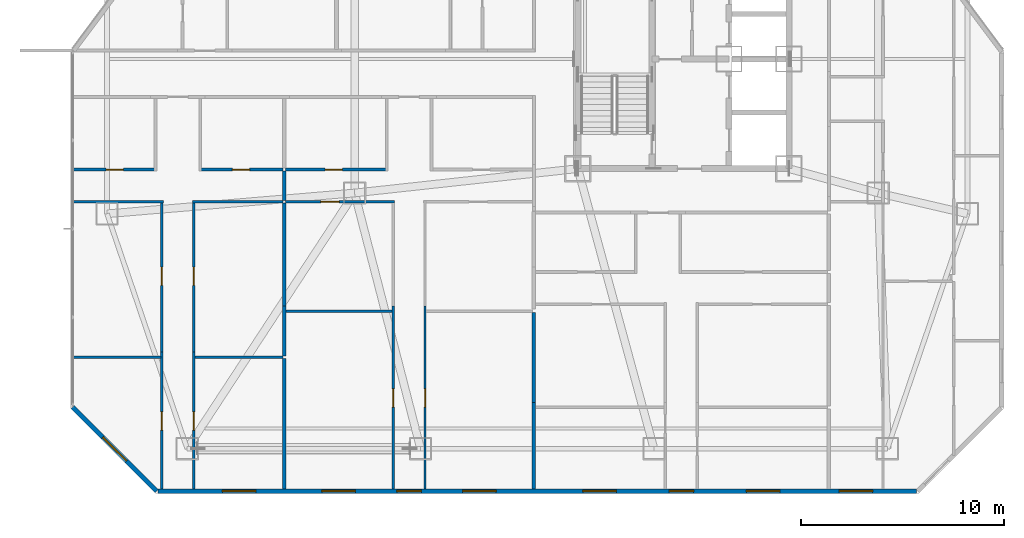
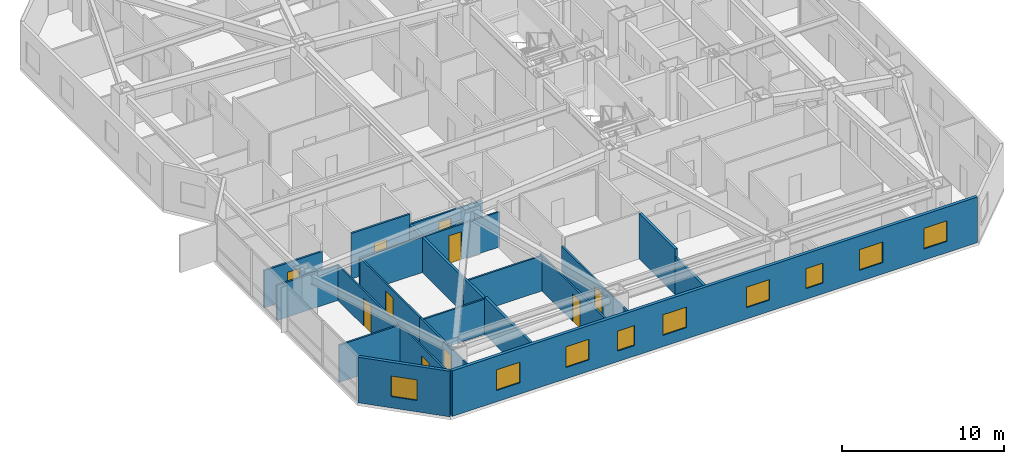
# One storey, part 11 of 19: 23 walls, 10 doors, 9 windows, 19 openings.
"""IFC4 building model written with IfcOpenShell, lengths in metres."""

from ifc_helpers import new_model, si_unit, direction, frame, frame_2d, origin, place, context, subcontext, project, spatial, rectangle, extrude, material, layer, layer_set, type_object, element, fill, save


model = new_model("IFC4")

# Units and contexts
model_context = context("Model", 3, precision=1e-05, world=origin(), true_north=direction((0.0, 1.0)))
body_context = subcontext(model_context, "Body", "Model", "MODEL_VIEW")
ifc_project = project(units=[si_unit("LENGTHUNIT", "METRE"), si_unit("AREAUNIT", "SQUARE_METRE"), si_unit("VOLUMEUNIT", "CUBIC_METRE"), si_unit("PLANEANGLEUNIT", "RADIAN"), si_unit("MASSUNIT", "GRAM", prefix="KILO")], contexts=[model_context])

# Site, building, storey
site_placement = place(None, origin())
site = spatial("IfcSite", under=ifc_project, at=site_placement, CompositionType="ELEMENT")
building_placement = place(site_placement, origin())
building = spatial("IfcBuilding", under=site, at=building_placement, Name="Khamvora Tower", CompositionType="ELEMENT")
storey_placement = place(building_placement, frame((0.0, 0.0, 58.85009765625)))
storey = spatial("IfcBuildingStorey", under=building, at=storey_placement, Name="L14", CompositionType="ELEMENT", Elevation=58.85009765625)

# Walls
ifc_material_1 = material(Name="Acoustic Double-Stud Fire Wall", Category="gypsum")
ifc_layer_1 = layer(ifc_material_1, 0.179931640625)
ifc_layer_set_1 = layer_set([ifc_layer_1], Name="Acoustic Double-Stud Fire Wall")
wall_type_1 = type_object("IfcWallType", Name="WAL-CORR-180", PredefinedType="STANDARD", material=ifc_layer_set_1)
wall_1_placement = place(storey_placement, frame((14.533935546875, 18.889892578125, 0.0), z_axis=(0.0, 0.0, 1.0), x_axis=(0.0, -1.0, 0.0)))
element("IfcWall", 1, at=wall_1_placement, inside=storey, type_object=wall_type_1, Name="L14 interior partition wall 056", PredefinedType="STANDARD", context=body_context, shape_type="SweptSolid", body=[
    extrude(rectangle(XDim=1.449951171875, YDim=0.179931640625, at=frame_2d((0.72509765625, 0.0))), origin(), (0.0, 0.0, 1.0), 2.64697265625),
])
wall_2_placement = place(storey_placement, frame((14.533935546875, 9.64111328125, 0.0), z_axis=(0.0, 0.0, 1.0), x_axis=(0.0, -1.0, 0.0)))
element("IfcWall", 2, at=wall_2_placement, inside=storey, type_object=wall_type_1, Name="L14 interior partition wall 060", PredefinedType="STANDARD", context=body_context, shape_type="SweptSolid", body=[
    extrude(rectangle(XDim=6.42919921875, YDim=0.179931640625, at=frame_2d((3.214599609375, 0.0))), origin(), (0.0, 0.0, 1.0), 2.802978515625),
])
wall_3_placement = place(storey_placement, frame((14.533935546875, 12.220947265625, 0.0), z_axis=(0.0, 0.0, 1.0), x_axis=(0.0, -1.0, 0.0)))
element("IfcWall", 3, at=wall_3_placement, inside=storey, type_object=wall_type_1, Name="L14 interior partition wall 061", PredefinedType="STANDARD", context=body_context, shape_type="SweptSolid", body=[
    extrude(rectangle(XDim=2.449951171875, YDim=0.179931640625, at=frame_2d((1.22509765625, 0.0))), origin(), (0.0, 0.0, 1.0), 2.64697265625),
])
wall_4_placement = place(storey_placement, frame((14.533935546875, 17.31005859375, 0.0), z_axis=(0.0, 0.0, 1.0), x_axis=(0.0, -1.0, 0.0)))
element("IfcWall", 4, at=wall_4_placement, inside=storey, type_object=wall_type_1, Name="L14 interior partition wall 062", PredefinedType="STANDARD", context=body_context, shape_type="SweptSolid", body=[
    extrude(rectangle(XDim=5.089111328125, YDim=0.179931640625, at=frame_2d((2.54443359375, 0.0))), origin(), (0.0, 0.0, 1.0), 2.64697265625),
])
wall_5_placement = place(storey_placement, frame((26.8349609375, 7.48095703125, 0.0), z_axis=(0.0, 0.0, 1.0), x_axis=(0.0, -1.0, 0.0)))
element("IfcWall", 5, at=wall_5_placement, inside=storey, type_object=wall_type_1, Name="L14 interior partition wall 075", PredefinedType="STANDARD", context=body_context, shape_type="SweptSolid", body=[
    extrude(rectangle(XDim=4.26904296875, YDim=0.179931640625, at=frame_2d((2.134521484375, 0.0))), origin(), (0.0, 0.0, 1.0), 2.802978515625),
])
wall_6_placement = place(storey_placement, frame((26.8349609375, 11.906982421875, 0.0), z_axis=(0.0, 0.0, 1.0), x_axis=(0.0, -1.0, 0.0)))
element("IfcWall", 6, at=wall_6_placement, inside=storey, type_object=wall_type_1, Name="L14 interior partition wall 076", PredefinedType="STANDARD", context=body_context, shape_type="SweptSolid", body=[
    extrude(rectangle(XDim=4.426025390625, YDim=0.179931640625, at=frame_2d((2.212890625, 0.0))), origin(), (0.0, 0.0, 1.0), 3.429931640625),
])

# Wall, opening, window
ifc_material_2 = material(Name="Precast concrete C40/50", Category="concrete")
ifc_layer_2 = layer(ifc_material_2, 0.219970703125)
ifc_layer_set_2 = layer_set([ifc_layer_2], Name="Precast concrete C40/50")
wall_type_2 = type_object("IfcWallType", Name="WAL-EXT-220", PredefinedType="STANDARD", material=ifc_layer_set_2)
wall_7_placement = place(storey_placement, frame((8.24609375, 3.110107421875, 0.0), z_axis=(0.0, 0.0, 1.0), x_axis=(-0.707106781187, 0.707106781187, 0.0)))
wall_7 = element("IfcWall", 7, at=wall_7_placement, inside=storey, type_object=wall_type_2, Name="L14 exterior facade wall 01.1", PredefinedType="STANDARD", context=body_context, shape_type="SweptSolid", body=[
    extrude(rectangle(XDim=5.84912109375, YDim=0.219970703125, at=frame_2d((2.924560546875, 0.0))), origin(), (0.0, 0.0, 1.0), 3.429931640625),
])
opening_1_placement = place(wall_7_placement, frame((2.10009765625, 0.0, 0.85009765625)))
opening_1 = element("IfcOpeningElement", 8, at=opening_1_placement, cuts=wall_7, Name="Opening WN-06", PredefinedType="OPENING", context=body_context, shape_type="SweptSolid", body=[
    extrude(rectangle(XDim=1.64990234375, YDim=1.550048828125, at=frame_2d((0.824951171875, 0.77490234375))), frame((0.0, 0.119873046875, 0.0), z_axis=(0.0, -1.0, 0.0), x_axis=(1.0, 0.0, 0.0)), (0.0, 0.0, 1.0), 0.239990234375),
])
ifc_material_3 = material(Name="Low-E Laminated Double Glazing", Category="glass")
window_type_1 = type_object("IfcWindowType", Name="WIN-VIS-1650x1550", PartitioningType="SINGLE_PANEL", PredefinedType="WINDOW", material=ifc_material_3)
window_1_placement = place(opening_1_placement, origin())
window_1 = element("IfcWindow", 9, at=window_1_placement, inside=storey, type_object=window_type_1, Name="L14 vision window 01.1.01", OverallHeight=1.550048828125, OverallWidth=1.64990234375, PartitioningType="SINGLE_PANEL", PredefinedType="WINDOW", context=body_context, shape_type="SweptSolid", body=[
    extrude(rectangle(XDim=1.64990234375, YDim=1.550048828125, at=frame_2d((0.824951171875, 0.77490234375))), frame((0.0, 0.030029296875, 0.0), z_axis=(0.0, -1.0, 0.0), x_axis=(1.0, 0.0, 0.0)), (0.0, 0.0, 1.0), 0.06005859375),
])
fill(opening_1, window_1)

# Wall, openings, windows
wall_8_placement = place(storey_placement, frame((45.68310546875, 3.110107421875, 0.0), z_axis=(0.0, 0.0, 1.0), x_axis=(-1.0, 0.0, 0.0)))
wall_8 = element("IfcWall", 10, at=wall_8_placement, inside=storey, type_object=wall_type_2, Name="L14 exterior facade wall 14.1", PredefinedType="STANDARD", context=body_context, shape_type="SweptSolid", body=[
    extrude(rectangle(XDim=37.3681640625, YDim=0.219970703125, at=frame_2d((18.68408203125, 0.0))), origin(), (0.0, 0.0, 1.0), 3.429931640625),
])
opening_2_placement = place(wall_8_placement, frame((32.553955078125, 0.0, 0.85009765625)))
opening_2 = element("IfcOpeningElement", 11, at=opening_2_placement, cuts=wall_8, Name="Opening WN-06", PredefinedType="OPENING", context=body_context, shape_type="SweptSolid", body=[
    extrude(rectangle(XDim=1.64990234375, YDim=1.550048828125, at=frame_2d((0.824951171875, 0.77490234375))), frame((0.0, 0.119873046875, 0.0), z_axis=(0.0, -1.0, 0.0), x_axis=(1.0, 0.0, 0.0)), (0.0, 0.0, 1.0), 0.239990234375),
])
opening_3_placement = place(wall_8_placement, frame((24.39892578125, 0.0, 0.800048828125)))
opening_3 = element("IfcOpeningElement", 12, at=opening_3_placement, cuts=wall_8, Name="Opening WN-03", PredefinedType="OPENING", context=body_context, shape_type="SweptSolid", body=[
    extrude(rectangle(XDim=1.199951171875, YDim=1.5, at=frame_2d((0.60009765625, 0.75))), frame((0.0, 0.119873046875, 0.0), z_axis=(0.0, -1.0, 0.0), x_axis=(1.0, 0.0, 0.0)), (0.0, 0.0, 1.0), 0.239990234375),
])
opening_4_placement = place(wall_8_placement, frame((27.64208984375, 0.0, 0.85009765625)))
opening_4 = element("IfcOpeningElement", 13, at=opening_4_placement, cuts=wall_8, Name="Opening WN-06", PredefinedType="OPENING", context=body_context, shape_type="SweptSolid", body=[
    extrude(rectangle(XDim=1.64990234375, YDim=1.550048828125, at=frame_2d((0.824951171875, 0.77490234375))), frame((0.0, 0.119873046875, 0.0), z_axis=(0.0, -1.0, 0.0), x_axis=(1.0, 0.0, 0.0)), (0.0, 0.0, 1.0), 0.239990234375),
])
opening_5_placement = place(wall_8_placement, frame((20.7060546875, 0.0, 0.85009765625)))
opening_5 = element("IfcOpeningElement", 14, at=opening_5_placement, cuts=wall_8, Name="Opening WN-06", PredefinedType="OPENING", context=body_context, shape_type="SweptSolid", body=[
    extrude(rectangle(XDim=1.64990234375, YDim=1.550048828125, at=frame_2d((0.824951171875, 0.77490234375))), frame((0.0, 0.119873046875, 0.0), z_axis=(0.0, -1.0, 0.0), x_axis=(1.0, 0.0, 0.0)), (0.0, 0.0, 1.0), 0.239990234375),
])
opening_6_placement = place(wall_8_placement, frame((10.98291015625, 0.0, 0.800048828125)))
opening_6 = element("IfcOpeningElement", 15, at=opening_6_placement, cuts=wall_8, Name="Opening WN-03", PredefinedType="OPENING", context=body_context, shape_type="SweptSolid", body=[
    extrude(rectangle(XDim=1.199951171875, YDim=1.5, at=frame_2d((0.60009765625, 0.75))), frame((0.0, 0.119873046875, 0.0), z_axis=(0.0, -1.0, 0.0), x_axis=(1.0, 0.0, 0.0)), (0.0, 0.0, 1.0), 0.239990234375),
])
opening_7_placement = place(wall_8_placement, frame((14.782958984375, 0.0, 0.85009765625)))
opening_7 = element("IfcOpeningElement", 16, at=opening_7_placement, cuts=wall_8, Name="Opening WN-06", PredefinedType="OPENING", context=body_context, shape_type="SweptSolid", body=[
    extrude(rectangle(XDim=1.64990234375, YDim=1.550048828125, at=frame_2d((0.824951171875, 0.77490234375))), frame((0.0, 0.119873046875, 0.0), z_axis=(0.0, -1.0, 0.0), x_axis=(1.0, 0.0, 0.0)), (0.0, 0.0, 1.0), 0.239990234375),
])
opening_8_placement = place(wall_8_placement, frame((6.73291015625, 0.0, 0.85009765625)))
opening_8 = element("IfcOpeningElement", 17, at=opening_8_placement, cuts=wall_8, Name="Opening WN-06", PredefinedType="OPENING", context=body_context, shape_type="SweptSolid", body=[
    extrude(rectangle(XDim=1.64990234375, YDim=1.550048828125, at=frame_2d((0.824951171875, 0.77490234375))), frame((0.0, 0.119873046875, 0.0), z_axis=(0.0, -1.0, 0.0), x_axis=(1.0, 0.0, 0.0)), (0.0, 0.0, 1.0), 0.239990234375),
])
opening_9_placement = place(wall_8_placement, frame((2.156982421875, 0.0, 0.85009765625)))
opening_9 = element("IfcOpeningElement", 18, at=opening_9_placement, cuts=wall_8, Name="Opening WN-06", PredefinedType="OPENING", context=body_context, shape_type="SweptSolid", body=[
    extrude(rectangle(XDim=1.64990234375, YDim=1.550048828125, at=frame_2d((0.824951171875, 0.77490234375))), frame((0.0, 0.119873046875, 0.0), z_axis=(0.0, -1.0, 0.0), x_axis=(1.0, 0.0, 0.0)), (0.0, 0.0, 1.0), 0.239990234375),
])
window_type_2 = type_object("IfcWindowType", Name="WIN-VIS-1200x1500", PartitioningType="SINGLE_PANEL", PredefinedType="WINDOW", material=ifc_material_3)
window_2_placement = place(opening_3_placement, origin())
window_2 = element("IfcWindow", 19, at=window_2_placement, inside=storey, type_object=window_type_2, Name="L14 vision window 14.1.02", OverallHeight=1.5, OverallWidth=1.199951171875, PartitioningType="SINGLE_PANEL", PredefinedType="WINDOW", context=body_context, shape_type="SweptSolid", body=[
    extrude(rectangle(XDim=1.199951171875, YDim=1.5, at=frame_2d((0.60009765625, 0.75))), frame((0.0, 0.030029296875, 0.0), z_axis=(0.0, -1.0, 0.0), x_axis=(1.0, 0.0, 0.0)), (0.0, 0.0, 1.0), 0.06005859375),
])
fill(opening_3, window_2)
window_3_placement = place(opening_6_placement, origin())
window_3 = element("IfcWindow", 20, at=window_3_placement, inside=storey, type_object=window_type_2, Name="L14 vision window 14.1.05", OverallHeight=1.5, OverallWidth=1.199951171875, PartitioningType="SINGLE_PANEL", PredefinedType="WINDOW", context=body_context, shape_type="SweptSolid", body=[
    extrude(rectangle(XDim=1.199951171875, YDim=1.5, at=frame_2d((0.60009765625, 0.75))), frame((0.0, 0.030029296875, 0.0), z_axis=(0.0, -1.0, 0.0), x_axis=(1.0, 0.0, 0.0)), (0.0, 0.0, 1.0), 0.06005859375),
])
fill(opening_6, window_3)
window_4_placement = place(opening_2_placement, origin())
window_4 = element("IfcWindow", 21, at=window_4_placement, inside=storey, type_object=window_type_1, Name="L14 vision window 14.1.01", OverallHeight=1.550048828125, OverallWidth=1.64990234375, PartitioningType="SINGLE_PANEL", PredefinedType="WINDOW", context=body_context, shape_type="SweptSolid", body=[
    extrude(rectangle(XDim=1.64990234375, YDim=1.550048828125, at=frame_2d((0.824951171875, 0.77490234375))), frame((0.0, 0.030029296875, 0.0), z_axis=(0.0, -1.0, 0.0), x_axis=(1.0, 0.0, 0.0)), (0.0, 0.0, 1.0), 0.06005859375),
])
fill(opening_2, window_4)
window_5_placement = place(opening_4_placement, origin())
window_5 = element("IfcWindow", 22, at=window_5_placement, inside=storey, type_object=window_type_1, Name="L14 vision window 14.1.03", OverallHeight=1.550048828125, OverallWidth=1.64990234375, PartitioningType="SINGLE_PANEL", PredefinedType="WINDOW", context=body_context, shape_type="SweptSolid", body=[
    extrude(rectangle(XDim=1.64990234375, YDim=1.550048828125, at=frame_2d((0.824951171875, 0.77490234375))), frame((0.0, 0.030029296875, 0.0), z_axis=(0.0, -1.0, 0.0), x_axis=(1.0, 0.0, 0.0)), (0.0, 0.0, 1.0), 0.06005859375),
])
fill(opening_4, window_5)
window_6_placement = place(opening_5_placement, origin())
window_6 = element("IfcWindow", 23, at=window_6_placement, inside=storey, type_object=window_type_1, Name="L14 vision window 14.1.04", OverallHeight=1.550048828125, OverallWidth=1.64990234375, PartitioningType="SINGLE_PANEL", PredefinedType="WINDOW", context=body_context, shape_type="SweptSolid", body=[
    extrude(rectangle(XDim=1.64990234375, YDim=1.550048828125, at=frame_2d((0.824951171875, 0.77490234375))), frame((0.0, 0.030029296875, 0.0), z_axis=(0.0, -1.0, 0.0), x_axis=(1.0, 0.0, 0.0)), (0.0, 0.0, 1.0), 0.06005859375),
])
fill(opening_5, window_6)
window_7_placement = place(opening_7_placement, origin())
window_7 = element("IfcWindow", 24, at=window_7_placement, inside=storey, type_object=window_type_1, Name="L14 vision window 14.1.06", OverallHeight=1.550048828125, OverallWidth=1.64990234375, PartitioningType="SINGLE_PANEL", PredefinedType="WINDOW", context=body_context, shape_type="SweptSolid", body=[
    extrude(rectangle(XDim=1.64990234375, YDim=1.550048828125, at=frame_2d((0.824951171875, 0.77490234375))), frame((0.0, 0.030029296875, 0.0), z_axis=(0.0, -1.0, 0.0), x_axis=(1.0, 0.0, 0.0)), (0.0, 0.0, 1.0), 0.06005859375),
])
fill(opening_7, window_7)
window_8_placement = place(opening_8_placement, origin())
window_8 = element("IfcWindow", 25, at=window_8_placement, inside=storey, type_object=window_type_1, Name="L14 vision window 14.1.07", OverallHeight=1.550048828125, OverallWidth=1.64990234375, PartitioningType="SINGLE_PANEL", PredefinedType="WINDOW", context=body_context, shape_type="SweptSolid", body=[
    extrude(rectangle(XDim=1.64990234375, YDim=1.550048828125, at=frame_2d((0.824951171875, 0.77490234375))), frame((0.0, 0.030029296875, 0.0), z_axis=(0.0, -1.0, 0.0), x_axis=(1.0, 0.0, 0.0)), (0.0, 0.0, 1.0), 0.06005859375),
])
fill(opening_8, window_8)
window_9_placement = place(opening_9_placement, origin())
window_9 = element("IfcWindow", 26, at=window_9_placement, inside=storey, type_object=window_type_1, Name="L14 vision window 14.1.08", OverallHeight=1.550048828125, OverallWidth=1.64990234375, PartitioningType="SINGLE_PANEL", PredefinedType="WINDOW", context=body_context, shape_type="SweptSolid", body=[
    extrude(rectangle(XDim=1.64990234375, YDim=1.550048828125, at=frame_2d((0.824951171875, 0.77490234375))), frame((0.0, 0.030029296875, 0.0), z_axis=(0.0, -1.0, 0.0), x_axis=(1.0, 0.0, 0.0)), (0.0, 0.0, 1.0), 0.06005859375),
])
fill(opening_9, window_9)

# Wall, opening, door
ifc_material_4 = material(Name="Gypsum Plasterboard Partition", Category="gypsum")
ifc_layer_3 = layer(ifc_material_4, 0.1201171875)
ifc_layer_set_3 = layer_set([ifc_layer_3], Name="Gypsum Plasterboard Partition")
wall_type_3 = type_object("IfcWallType", Name="WAL-PART-120", PredefinedType="PARTITIONING", material=ifc_layer_set_3)
wall_9_placement = place(storey_placement, frame((8.50390625, 3.2119140625, 0.0), z_axis=(0.0, 0.0, 1.0), x_axis=(0.0, 1.0, 0.0)))
wall_9 = element("IfcWall", 27, at=wall_9_placement, inside=storey, type_object=wall_type_3, Name="L14 interior partition wall 050", PredefinedType="PARTITIONING", context=body_context, shape_type="SweptSolid", body=[
    extrude(rectangle(XDim=6.7431640625, YDim=0.1201171875, at=frame_2d((3.37158203125, 0.0))), origin(), (0.0, 0.0, 1.0), 2.802978515625),
])
opening_10_placement = place(wall_9_placement, frame((2.89990234375, 0.0, 0.0)))
opening_10 = element("IfcOpeningElement", 28, at=opening_10_placement, cuts=wall_9, Name="Opening D-RM1", PredefinedType="OPENING", context=body_context, shape_type="SweptSolid", body=[
    extrude(rectangle(XDim=0.89990234375, YDim=2.10009765625, at=frame_2d((0.449951171875, 1.050048828125))), frame((0.0, 0.070068359375, 0.0), z_axis=(0.0, -1.0, 0.0), x_axis=(1.0, 0.0, 0.0)), (0.0, 0.0, 1.0), 0.14013671875),
])
ifc_material_5 = material(Name="Powder-Coated Steel and Hardwood Leaf", Category="steel")
door_type_1 = type_object("IfcDoorType", Name="DOR-ROOM-900", OperationType="NOTDEFINED", PredefinedType="DOOR", material=ifc_material_5)
door_1_placement = place(opening_10_placement, origin())
door_1 = element("IfcDoor", 29, at=door_1_placement, inside=storey, type_object=door_type_1, Name="L14 interior door 14WA1H-14WA1L", OperationType="SINGLE_SWING_RIGHT", OverallHeight=2.10009765625, OverallWidth=0.89990234375, PredefinedType="DOOR", context=body_context, shape_type="SweptSolid", body=[
    extrude(rectangle(XDim=0.89990234375, YDim=2.10009765625, at=frame_2d((0.449951171875, 1.050048828125))), frame((0.0, 0.02490234375, 0.0), z_axis=(0.0, -1.0, 0.0), x_axis=(1.0, 0.0, 0.0)), (0.0, 0.0, 1.0), 0.050048828125),
])
fill(opening_10, door_1)

wall_10_placement = place(storey_placement, frame((8.50390625, 9.955078125, 0.0), z_axis=(0.0, 0.0, 1.0), x_axis=(0.0, 1.0, 0.0)))
wall_10 = element("IfcWall", 30, at=wall_10_placement, inside=storey, type_object=wall_type_3, Name="L14 interior partition wall 051", PredefinedType="PARTITIONING", context=body_context, shape_type="SweptSolid", body=[
    extrude(rectangle(XDim=7.48486328125, YDim=0.1201171875, at=frame_2d((3.742431640625, 0.0))), origin(), (0.0, 0.0, 1.0), 2.64697265625),
])
opening_11_placement = place(wall_10_placement, frame((3.2919921875, 0.0, 0.0)))
opening_11 = element("IfcOpeningElement", 31, at=opening_11_placement, cuts=wall_10, Name="Opening D-RM1", PredefinedType="OPENING", context=body_context, shape_type="SweptSolid", body=[
    extrude(rectangle(XDim=0.89990234375, YDim=2.10009765625, at=frame_2d((0.449951171875, 1.050048828125))), frame((0.0, 0.070068359375, 0.0), z_axis=(0.0, -1.0, 0.0), x_axis=(1.0, 0.0, 0.0)), (0.0, 0.0, 1.0), 0.14013671875),
])
door_2_placement = place(opening_11_placement, origin())
door_2 = element("IfcDoor", 32, at=door_2_placement, inside=storey, type_object=door_type_1, Name="L14 interior door 14WA1H-14WA1R2", OperationType="SINGLE_SWING_RIGHT", OverallHeight=2.10009765625, OverallWidth=0.89990234375, PredefinedType="DOOR", context=body_context, shape_type="SweptSolid", body=[
    extrude(rectangle(XDim=0.89990234375, YDim=2.10009765625, at=frame_2d((0.449951171875, 1.050048828125))), frame((0.0, 0.02490234375, 0.0), z_axis=(0.0, -1.0, 0.0), x_axis=(1.0, 0.0, 0.0)), (0.0, 0.0, 1.0), 0.050048828125),
])
fill(opening_11, door_2)

# Wall
wall_11_placement = place(storey_placement, frame((8.569091796875, 17.375, 0.0), z_axis=(0.0, 0.0, 1.0), x_axis=(-1.0, 0.0, 0.0)))
element("IfcWall", 33, at=wall_11_placement, inside=storey, type_object=wall_type_3, Name="L14 interior partition wall 052", PredefinedType="PARTITIONING", context=body_context, shape_type="SweptSolid", body=[
    extrude(rectangle(XDim=4.458984375, YDim=0.1201171875, at=frame_2d((2.2294921875, 0.0))), origin(), (0.0, 0.0, 1.0), 2.64697265625),
])

# Wall, opening, door
wall_12_placement = place(storey_placement, frame((10.073974609375, 9.955078125, 0.0), z_axis=(0.0, 0.0, 1.0), x_axis=(0.0, -1.0, 0.0)))
wall_12 = element("IfcWall", 34, at=wall_12_placement, inside=storey, type_object=wall_type_3, Name="L14 interior partition wall 053", PredefinedType="PARTITIONING", context=body_context, shape_type="SweptSolid", body=[
    extrude(rectangle(XDim=6.7431640625, YDim=0.1201171875, at=frame_2d((3.37158203125, 0.0))), origin(), (0.0, 0.0, 1.0), 2.64697265625),
])
opening_12_placement = place(wall_12_placement, frame((2.94189453125, 0.0, 0.0)))
opening_12 = element("IfcOpeningElement", 35, at=opening_12_placement, cuts=wall_12, Name="Opening D-RM1", PredefinedType="OPENING", context=body_context, shape_type="SweptSolid", body=[
    extrude(rectangle(XDim=0.89990234375, YDim=2.10009765625, at=frame_2d((0.449951171875, 1.050048828125))), frame((0.0, 0.070068359375, 0.0), z_axis=(0.0, -1.0, 0.0), x_axis=(1.0, 0.0, 0.0)), (0.0, 0.0, 1.0), 0.14013671875),
])
door_3_placement = place(opening_12_placement, origin())
door_3 = element("IfcDoor", 36, at=door_3_placement, inside=storey, type_object=door_type_1, Name="L14 interior door 14WA1H-14WA1R3", OperationType="SINGLE_SWING_LEFT", OverallHeight=2.10009765625, OverallWidth=0.89990234375, PredefinedType="DOOR", context=body_context, shape_type="SweptSolid", body=[
    extrude(rectangle(XDim=0.89990234375, YDim=2.10009765625, at=frame_2d((0.449951171875, 1.050048828125))), frame((0.0, 0.02490234375, 0.0), z_axis=(0.0, -1.0, 0.0), x_axis=(1.0, 0.0, 0.0)), (0.0, 0.0, 1.0), 0.050048828125),
])
fill(opening_12, door_3)

# Wall
wall_13_placement = place(storey_placement, frame((14.468994140625, 17.375, 0.0), z_axis=(0.0, 0.0, 1.0), x_axis=(-1.0, 0.0, 0.0)))
element("IfcWall", 37, at=wall_13_placement, inside=storey, type_object=wall_type_3, Name="L14 interior partition wall 054", PredefinedType="PARTITIONING", context=body_context, shape_type="SweptSolid", body=[
    extrude(rectangle(XDim=4.4599609375, YDim=0.1201171875, at=frame_2d((2.22998046875, 0.0))), origin(), (0.0, 0.0, 1.0), 2.64697265625),
])

# Wall, opening, door
wall_14_placement = place(storey_placement, frame((10.073974609375, 17.43994140625, 0.0), z_axis=(0.0, 0.0, 1.0), x_axis=(0.0, -1.0, 0.0)))
wall_14 = element("IfcWall", 38, at=wall_14_placement, inside=storey, type_object=wall_type_3, Name="L14 interior partition wall 055", PredefinedType="PARTITIONING", context=body_context, shape_type="SweptSolid", body=[
    extrude(rectangle(XDim=7.48486328125, YDim=0.1201171875, at=frame_2d((3.742431640625, 0.0))), origin(), (0.0, 0.0, 1.0), 2.64697265625),
])
opening_13_placement = place(wall_14_placement, frame((3.2919921875, 0.0, 0.0)))
opening_13 = element("IfcOpeningElement", 39, at=opening_13_placement, cuts=wall_14, Name="Opening D-RM1", PredefinedType="OPENING", context=body_context, shape_type="SweptSolid", body=[
    extrude(rectangle(XDim=0.89990234375, YDim=2.10009765625, at=frame_2d((0.449951171875, 1.050048828125))), frame((0.0, 0.070068359375, 0.0), z_axis=(0.0, -1.0, 0.0), x_axis=(1.0, 0.0, 0.0)), (0.0, 0.0, 1.0), 0.14013671875),
])
door_4_placement = place(opening_13_placement, origin())
door_4 = element("IfcDoor", 40, at=door_4_placement, inside=storey, type_object=door_type_1, Name="L14 interior door 14WA1H-14WA1R4", OperationType="SINGLE_SWING_RIGHT", OverallHeight=2.10009765625, OverallWidth=0.89990234375, PredefinedType="DOOR", context=body_context, shape_type="SweptSolid", body=[
    extrude(rectangle(XDim=0.89990234375, YDim=2.10009765625, at=frame_2d((0.449951171875, 1.050048828125))), frame((0.0, 0.02490234375, 0.0), z_axis=(0.0, -1.0, 0.0), x_axis=(1.0, 0.0, 0.0)), (0.0, 0.0, 1.0), 0.050048828125),
])
fill(opening_13, door_4)

# Walls
wall_15_placement = place(storey_placement, frame((4.110107421875, 9.7060546875, 0.0), z_axis=(0.0, 0.0, 1.0), x_axis=(1.0, 0.0, 0.0)))
element("IfcWall", 41, at=wall_15_placement, inside=storey, type_object=wall_type_3, Name="L14 interior partition wall 058", PredefinedType="PARTITIONING", context=body_context, shape_type="SweptSolid", body=[
    extrude(rectangle(XDim=4.33984375, YDim=0.1201171875, at=frame_2d((2.169921875, 0.0))), origin(), (0.0, 0.0, 1.0), 2.802978515625),
])
wall_16_placement = place(storey_placement, frame((10.1279296875, 9.7060546875, 0.0), z_axis=(0.0, 0.0, 1.0), x_axis=(1.0, 0.0, 0.0)))
element("IfcWall", 42, at=wall_16_placement, inside=storey, type_object=wall_type_3, Name="L14 interior partition wall 059", PredefinedType="PARTITIONING", context=body_context, shape_type="SweptSolid", body=[
    extrude(rectangle(XDim=4.341064453125, YDim=0.1201171875, at=frame_2d((2.17041015625, 0.0))), origin(), (0.0, 0.0, 1.0), 2.64697265625),
])

# Wall, opening, door
wall_17_placement = place(storey_placement, frame((19.89892578125, 3.2119140625, 0.0), z_axis=(0.0, 0.0, 1.0), x_axis=(0.0, 1.0, 0.0)))
wall_17 = element("IfcWall", 43, at=wall_17_placement, inside=storey, type_object=wall_type_3, Name="L14 interior partition wall 067", PredefinedType="PARTITIONING", context=body_context, shape_type="SweptSolid", body=[
    extrude(rectangle(XDim=9.009033203125, YDim=0.1201171875, at=frame_2d((4.50439453125, 0.0))), origin(), (0.0, 0.0, 1.0), 2.64697265625),
])
opening_14_placement = place(wall_17_placement, frame((4.033935546875, 0.0, 0.0)))
opening_14 = element("IfcOpeningElement", 44, at=opening_14_placement, cuts=wall_17, Name="Opening D-RM1", PredefinedType="OPENING", context=body_context, shape_type="SweptSolid", body=[
    extrude(rectangle(XDim=0.89990234375, YDim=2.10009765625, at=frame_2d((0.449951171875, 1.050048828125))), frame((0.0, 0.070068359375, 0.0), z_axis=(0.0, -1.0, 0.0), x_axis=(1.0, 0.0, 0.0)), (0.0, 0.0, 1.0), 0.14013671875),
])
door_5_placement = place(opening_14_placement, origin())
door_5 = element("IfcDoor", 45, at=door_5_placement, inside=storey, type_object=door_type_1, Name="L14 interior door 14WA2H-14WA2R1", OperationType="SINGLE_SWING_RIGHT", OverallHeight=2.10009765625, OverallWidth=0.89990234375, PredefinedType="DOOR", context=body_context, shape_type="SweptSolid", body=[
    extrude(rectangle(XDim=0.89990234375, YDim=2.10009765625, at=frame_2d((0.449951171875, 1.050048828125))), frame((0.0, 0.02490234375, 0.0), z_axis=(0.0, -1.0, 0.0), x_axis=(1.0, 0.0, 0.0)), (0.0, 0.0, 1.0), 0.050048828125),
])
fill(opening_14, door_5)

wall_18_placement = place(storey_placement, frame((19.964111328125, 17.375, 0.0), z_axis=(0.0, 0.0, 1.0), x_axis=(-1.0, 0.0, 0.0)))
wall_18 = element("IfcWall", 46, at=wall_18_placement, inside=storey, type_object=wall_type_3, Name="L14 interior partition wall 068", PredefinedType="PARTITIONING", context=body_context, shape_type="SweptSolid", body=[
    extrude(rectangle(XDim=5.364990234375, YDim=0.1201171875, at=frame_2d((2.6826171875, 0.0))), origin(), (0.0, 0.0, 1.0), 2.64697265625),
])
opening_15_placement = place(wall_18_placement, frame((2.73193359375, 0.0, 0.0)))
opening_15 = element("IfcOpeningElement", 47, at=opening_15_placement, cuts=wall_18, Name="Opening D-RM1", PredefinedType="OPENING", context=body_context, shape_type="SweptSolid", body=[
    extrude(rectangle(XDim=0.89990234375, YDim=2.10009765625, at=frame_2d((0.449951171875, 1.050048828125))), frame((0.0, 0.070068359375, 0.0), z_axis=(0.0, -1.0, 0.0), x_axis=(1.0, 0.0, 0.0)), (0.0, 0.0, 1.0), 0.14013671875),
])
door_6_placement = place(opening_15_placement, origin())
door_6 = element("IfcDoor", 48, at=door_6_placement, inside=storey, type_object=door_type_1, Name="L14 interior door 14WA2H-14WA2R2", OperationType="SINGLE_SWING_RIGHT", OverallHeight=2.10009765625, OverallWidth=0.89990234375, PredefinedType="DOOR", context=body_context, shape_type="SweptSolid", body=[
    extrude(rectangle(XDim=0.89990234375, YDim=2.10009765625, at=frame_2d((0.449951171875, 1.050048828125))), frame((0.0, 0.02490234375, 0.0), z_axis=(0.0, -1.0, 0.0), x_axis=(1.0, 0.0, 0.0)), (0.0, 0.0, 1.0), 0.050048828125),
])
fill(opening_15, door_6)

wall_19_placement = place(storey_placement, frame((21.468994140625, 12.220947265625, 0.0), z_axis=(0.0, 0.0, 1.0), x_axis=(0.0, -1.0, 0.0)))
wall_19 = element("IfcWall", 49, at=wall_19_placement, inside=storey, type_object=wall_type_3, Name="L14 interior partition wall 070", PredefinedType="PARTITIONING", context=body_context, shape_type="SweptSolid", body=[
    extrude(rectangle(XDim=9.009033203125, YDim=0.1201171875, at=frame_2d((4.50439453125, 0.0))), origin(), (0.0, 0.0, 1.0), 2.64697265625),
])
opening_16_placement = place(wall_19_placement, frame((4.074951171875, 0.0, 0.0)))
opening_16 = element("IfcOpeningElement", 50, at=opening_16_placement, cuts=wall_19, Name="Opening D-RM1", PredefinedType="OPENING", context=body_context, shape_type="SweptSolid", body=[
    extrude(rectangle(XDim=0.89990234375, YDim=2.10009765625, at=frame_2d((0.449951171875, 1.050048828125))), frame((0.0, 0.070068359375, 0.0), z_axis=(0.0, -1.0, 0.0), x_axis=(1.0, 0.0, 0.0)), (0.0, 0.0, 1.0), 0.14013671875),
])
door_7_placement = place(opening_16_placement, origin())
door_7 = element("IfcDoor", 51, at=door_7_placement, inside=storey, type_object=door_type_1, Name="L14 interior door 14WA2H-14WA2R3", OperationType="SINGLE_SWING_RIGHT", OverallHeight=2.10009765625, OverallWidth=0.89990234375, PredefinedType="DOOR", context=body_context, shape_type="SweptSolid", body=[
    extrude(rectangle(XDim=0.89990234375, YDim=2.10009765625, at=frame_2d((0.449951171875, 1.050048828125))), frame((0.0, 0.02490234375, 0.0), z_axis=(0.0, -1.0, 0.0), x_axis=(1.0, 0.0, 0.0)), (0.0, 0.0, 1.0), 0.050048828125),
])
fill(opening_16, door_7)

# Wall
wall_20_placement = place(storey_placement, frame((14.615966796875, 11.971923828125, 0.0), z_axis=(0.0, 0.0, 1.0), x_axis=(1.0, 0.0, 0.0)))
element("IfcWall", 52, at=wall_20_placement, inside=storey, type_object=wall_type_3, Name="L14 interior partition wall 073", PredefinedType="PARTITIONING", context=body_context, shape_type="SweptSolid", body=[
    extrude(rectangle(XDim=5.22900390625, YDim=0.1201171875, at=frame_2d((2.614501953125, 0.0))), origin(), (0.0, 0.0, 1.0), 2.64697265625),
])

# Wall, opening, door
ifc_material_6 = material(Name="Moisture-Resistant Plasterboard Partition", Category="gypsum")
ifc_layer_4 = layer(ifc_material_6, 0.135009765625)
ifc_layer_set_4 = layer_set([ifc_layer_4], Name="Moisture-Resistant Plasterboard Partition")
wall_type_4 = type_object("IfcWallType", Name="WAL-WET-135", PredefinedType="PARTITIONING", material=ifc_layer_set_4)
wall_21_placement = place(storey_placement, frame((10.323974609375, 18.955078125, 0.0), z_axis=(0.0, 0.0, 1.0), x_axis=(1.0, 0.0, 0.0)))
wall_21 = element("IfcWall", 53, at=wall_21_placement, inside=storey, type_object=wall_type_4, Name="L14 interior partition wall 047", PredefinedType="PARTITIONING", context=body_context, shape_type="SweptSolid", body=[
    extrude(rectangle(XDim=4.14501953125, YDim=0.135009765625, at=frame_2d((2.072509765625, 0.0))), origin(), (0.0, 0.0, 1.0), 3.429931640625),
])
opening_17_placement = place(wall_21_placement, frame((1.64697265625, 0.0, 0.0)))
opening_17 = element("IfcOpeningElement", 54, at=opening_17_placement, cuts=wall_21, Name="Opening D-WC1", PredefinedType="OPENING", context=body_context, shape_type="SweptSolid", body=[
    extrude(rectangle(XDim=0.85009765625, YDim=2.10009765625, at=frame_2d((0.425048828125, 1.050048828125))), frame((0.0, 0.077392578125, 0.0), z_axis=(0.0, -1.0, 0.0), x_axis=(1.0, 0.0, 0.0)), (0.0, 0.0, 1.0), 0.155029296875),
])
door_type_2 = type_object("IfcDoorType", Name="DOR-WET-850", OperationType="NOTDEFINED", PredefinedType="DOOR", material=ifc_material_5)
door_8_placement = place(opening_17_placement, origin())
door_8 = element("IfcDoor", 55, at=door_8_placement, inside=storey, type_object=door_type_2, Name="L14 interior door 14WA1H-14WA1B", OperationType="SINGLE_SWING_LEFT", OverallHeight=2.10009765625, OverallWidth=0.85009765625, PredefinedType="DOOR", context=body_context, shape_type="SweptSolid", body=[
    extrude(rectangle(XDim=0.85009765625, YDim=2.10009765625, at=frame_2d((0.425048828125, 1.050048828125))), frame((0.0, 0.02490234375, 0.0), z_axis=(0.0, -1.0, 0.0), x_axis=(1.0, 0.0, 0.0)), (0.0, 0.0, 1.0), 0.050048828125),
])
fill(opening_17, door_8)

wall_22_placement = place(storey_placement, frame((4.110107421875, 18.955078125, 0.0), z_axis=(0.0, 0.0, 1.0), x_axis=(1.0, 0.0, 0.0)))
wall_22 = element("IfcWall", 56, at=wall_22_placement, inside=storey, type_object=wall_type_4, Name="L14 interior partition wall 048", PredefinedType="PARTITIONING", context=body_context, shape_type="SweptSolid", body=[
    extrude(rectangle(XDim=4.143798828125, YDim=0.135009765625, at=frame_2d((2.07177734375, 0.0))), origin(), (0.0, 0.0, 1.0), 2.802978515625),
])
opening_18_placement = place(wall_22_placement, frame((1.64697265625, 0.0, 0.0)))
opening_18 = element("IfcOpeningElement", 57, at=opening_18_placement, cuts=wall_22, Name="Opening D-RM2", PredefinedType="OPENING", context=body_context, shape_type="SweptSolid", body=[
    extrude(rectangle(XDim=0.85009765625, YDim=2.10009765625, at=frame_2d((0.425048828125, 1.050048828125))), frame((0.0, 0.077392578125, 0.0), z_axis=(0.0, -1.0, 0.0), x_axis=(1.0, 0.0, 0.0)), (0.0, 0.0, 1.0), 0.155029296875),
])
door_type_3 = type_object("IfcDoorType", Name="DOR-ROOM-850", OperationType="NOTDEFINED", PredefinedType="DOOR", material=ifc_material_5)
door_9_placement = place(opening_18_placement, origin())
door_9 = element("IfcDoor", 58, at=door_9_placement, inside=storey, type_object=door_type_3, Name="L14 interior door 14WA1H-14WA1K", OperationType="SINGLE_SWING_RIGHT", OverallHeight=2.10009765625, OverallWidth=0.85009765625, PredefinedType="DOOR", context=body_context, shape_type="SweptSolid", body=[
    extrude(rectangle(XDim=0.85009765625, YDim=2.10009765625, at=frame_2d((0.425048828125, 1.050048828125))), frame((0.0, 0.02490234375, 0.0), z_axis=(0.0, -1.0, 0.0), x_axis=(1.0, 0.0, 0.0)), (0.0, 0.0, 1.0), 0.050048828125),
])
fill(opening_18, door_9)

wall_23_placement = place(storey_placement, frame((14.59912109375, 18.955078125, 0.0), z_axis=(0.0, 0.0, 1.0), x_axis=(1.0, 0.0, 0.0)))
wall_23 = element("IfcWall", 59, at=wall_23_placement, inside=storey, type_object=wall_type_4, Name="L14 interior partition wall 065", PredefinedType="PARTITIONING", context=body_context, shape_type="SweptSolid", body=[
    extrude(rectangle(XDim=5.0498046875, YDim=0.135009765625, at=frame_2d((2.52490234375, 0.0))), origin(), (0.0, 0.0, 1.0), 2.64697265625),
])
opening_19_placement = place(wall_23_placement, frame((1.944091796875, 0.0, 0.0)))
opening_19 = element("IfcOpeningElement", 60, at=opening_19_placement, cuts=wall_23, Name="Opening D-RM2", PredefinedType="OPENING", context=body_context, shape_type="SweptSolid", body=[
    extrude(rectangle(XDim=0.85009765625, YDim=2.10009765625, at=frame_2d((0.425048828125, 1.050048828125))), frame((0.0, 0.077392578125, 0.0), z_axis=(0.0, -1.0, 0.0), x_axis=(1.0, 0.0, 0.0)), (0.0, 0.0, 1.0), 0.155029296875),
])
door_10_placement = place(opening_19_placement, origin())
door_10 = element("IfcDoor", 61, at=door_10_placement, inside=storey, type_object=door_type_3, Name="L14 interior door 14WA2H-14WA2K", OperationType="SINGLE_SWING_LEFT", OverallHeight=2.10009765625, OverallWidth=0.85009765625, PredefinedType="DOOR", context=body_context, shape_type="SweptSolid", body=[
    extrude(rectangle(XDim=0.85009765625, YDim=2.10009765625, at=frame_2d((0.425048828125, 1.050048828125))), frame((0.0, 0.02490234375, 0.0), z_axis=(0.0, -1.0, 0.0), x_axis=(1.0, 0.0, 0.0)), (0.0, 0.0, 1.0), 0.050048828125),
])
fill(opening_19, door_10)

save(model, "model.ifc")
